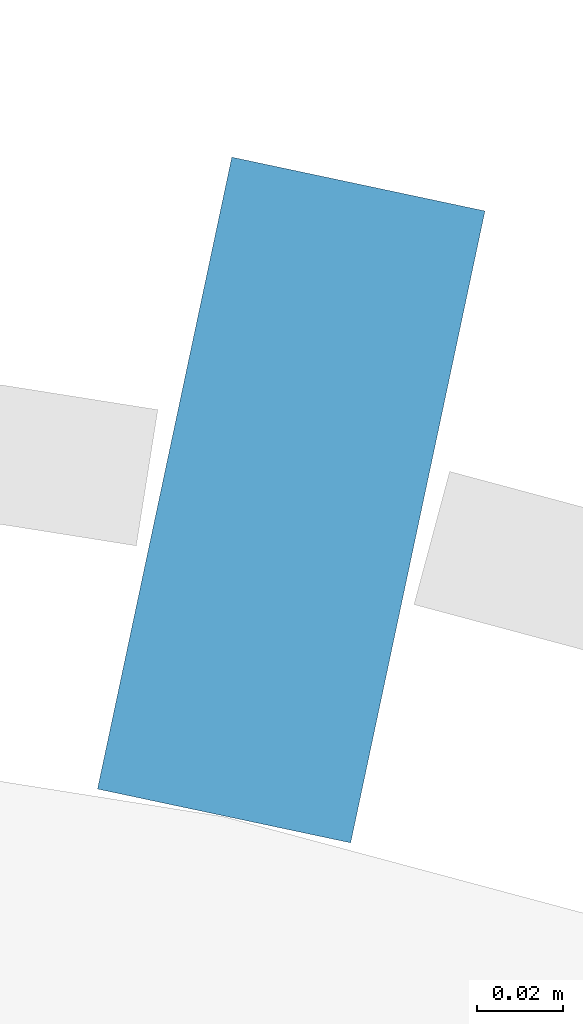
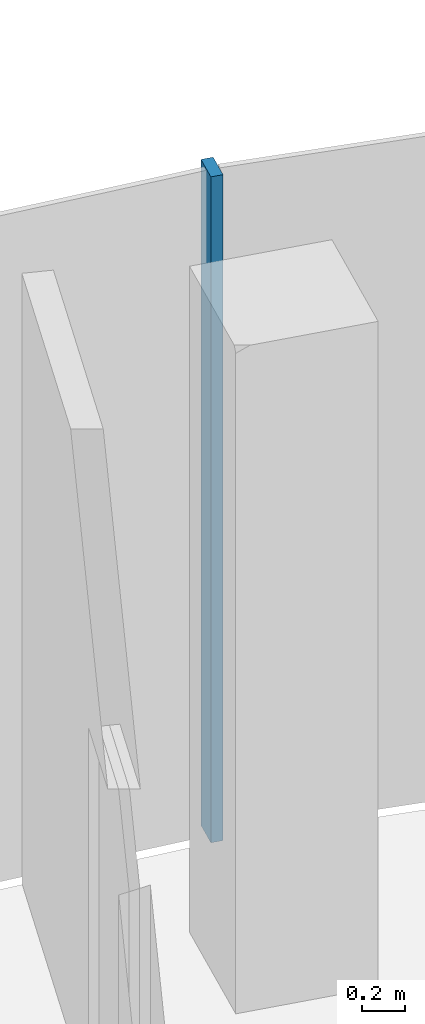
# One storey, part 7 of 18: 1 member, 1 element without a shape of its own.
"""IFC4 building model written with IfcOpenShell, lengths in metres."""

from ifc_helpers import new_model, si_unit, direction, frame, origin, origin_2d, place, context, subcontext, project, spatial, rectangle, extrude, material, layer, layer_set, material_profile, profile_set, type_object, element, aggregate, save


model = new_model("IFC4")

# Units and contexts
model_context = context("Model", 3, precision=1e-05, world=origin(), true_north=direction((0.0, 1.0)))
body_context = subcontext(model_context, "Body", "Model", "MODEL_VIEW")
ifc_project = project(units=[si_unit("LENGTHUNIT", "METRE"), si_unit("AREAUNIT", "SQUARE_METRE"), si_unit("VOLUMEUNIT", "CUBIC_METRE"), si_unit("PLANEANGLEUNIT", "RADIAN"), si_unit("MASSUNIT", "GRAM", prefix="KILO")], contexts=[model_context])

# Site, building, storey
site_placement = place(None, origin())
site = spatial("IfcSite", under=ifc_project, at=site_placement, CompositionType="ELEMENT")
building_placement = place(site_placement, origin())
building = spatial("IfcBuilding", under=site, at=building_placement, Name="Stone Belt Terrace Tower", CompositionType="ELEMENT")
storey_placement = place(building_placement, frame((0.0, 0.0, 261.800048828125)))
storey = spatial("IfcBuildingStorey", under=building, at=storey_placement, Name="L63", CompositionType="ELEMENT", Elevation=261.800048828125)

# Curtain wall, member
ifc_material = material(Name="Aluminium 6063-T6 anodised frame", Category="aluminium")
ifc_layer = layer(ifc_material, 0.14990234375)
ifc_layer_set = layer_set([ifc_layer], Name="CW-A unitised convex-face curtain wall")
curtain_wall_type = type_object("IfcCurtainWallType", Name="CW-A unitised convex-face curtain wall", PredefinedType="NOTDEFINED", material=ifc_layer_set)
curtain_wall_placement = place(storey_placement, origin())
curtain_wall = element("IfcCurtainWall", 1, at=curtain_wall_placement, inside=storey, type_object=curtain_wall_type, Name="CW-A convex face L63", PredefinedType="NOTDEFINED")
ifc_material_profile = material_profile(ifc_material, rectangle(XDim=0.14990234375, YDim=0.06005859375, at=origin_2d()), Name="Aluminium 6063-T6 60x150")
ifc_profile_set = profile_set([ifc_material_profile], Name="Aluminium 6063-T6 anodised frame")
member_type = type_object("IfcMemberType", Name="CW-A mullion 60 x 150", PredefinedType="MULLION", material=ifc_profile_set)
member_placement = place(storey_placement, frame((13.841796875, 65.120361328125, 0.0), z_axis=(0.0, 0.0, 1.0), x_axis=(-0.207911690818, -0.978147600734, 0.0)))
member = element("IfcMember", 2, at=member_placement, type_object=member_type, Name="CW-A mullion 6", PredefinedType="MULLION", context=body_context, shape_type="SweptSolid", body=[
    extrude(rectangle(XDim=0.14990234375, YDim=0.06005859375, at=origin_2d()), origin(), (0.0, 0.0, 1.0), 3.800048828125),
])
aggregate(curtain_wall, [member])

save(model, "model.ifc")
